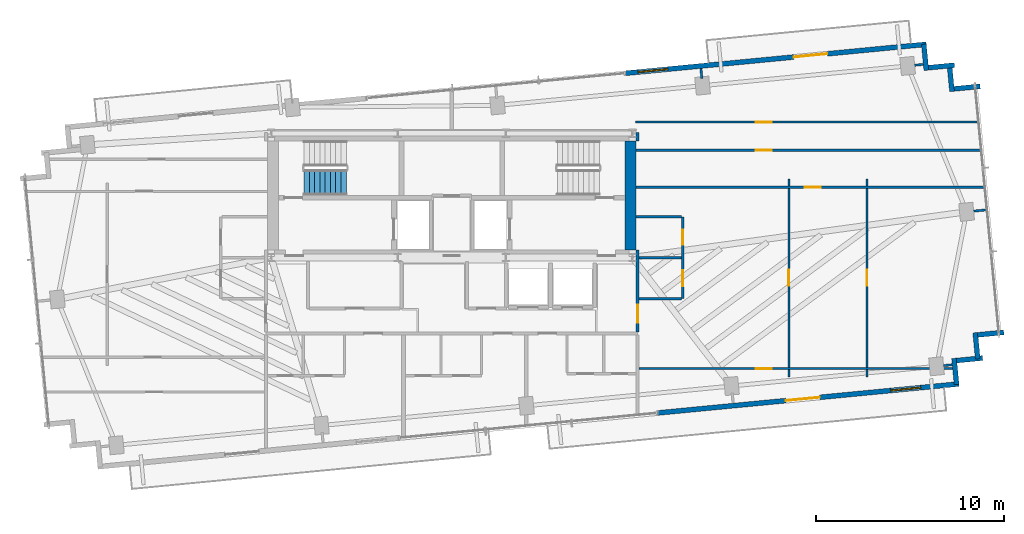
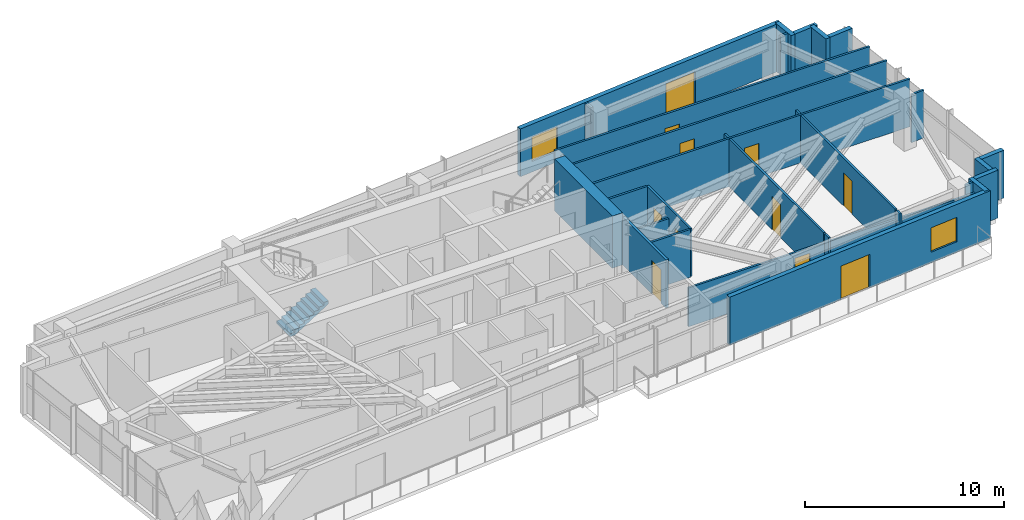
# One storey, part 15 of 18: 31 walls, 11 doors, 2 windows, 1 stair flight, 13 openings, 1 element without a shape of its own.
"""IFC4 building model written with IfcOpenShell, lengths in metres."""

from ifc_helpers import new_model, si_unit, direction, frame, frame_2d, origin, place, context, subcontext, project, spatial, polyline, rectangle, outline, extrude, source, transform, mapped, material, layer, layer_set, type_object, type_shapes, element, fill, aggregate, save


model = new_model("IFC4")

# Units and contexts
model_context = context("Model", 3, precision=1e-05, world=origin(), true_north=direction((0.0, 1.0)))
body_context = subcontext(model_context, "Body", "Model", "MODEL_VIEW")
ifc_project = project(units=[si_unit("LENGTHUNIT", "METRE"), si_unit("AREAUNIT", "SQUARE_METRE"), si_unit("VOLUMEUNIT", "CUBIC_METRE"), si_unit("PLANEANGLEUNIT", "RADIAN"), si_unit("MASSUNIT", "GRAM", prefix="KILO")], contexts=[model_context])

# Site, building, storey
site_placement = place(None, origin())
site = spatial("IfcSite", under=ifc_project, at=site_placement, CompositionType="ELEMENT")
building_placement = place(site_placement, origin())
building = spatial("IfcBuilding", under=site, at=building_placement, Name="Astriad Promenade Condominiums", CompositionType="ELEMENT")
storey_placement = place(building_placement, frame((0.0, 0.0, 201.800048828125)))
storey = spatial("IfcBuildingStorey", under=building, at=storey_placement, Name="L58", CompositionType="ELEMENT", Elevation=201.800048828125)

# Wall
ifc_material_1 = material(Name="Concrete C50/60", Category="concrete")
ifc_layer_1 = layer(ifc_material_1, 0.60009765625)
ifc_layer_set_1 = layer_set([ifc_layer_1], Name="Concrete C50/60")
wall_type_1 = type_object("IfcWallType", Name="CW-SHEAR-600", PredefinedType="SHEAR", material=ifc_layer_set_1)
wall_1_placement = place(storey_placement, frame((45.5, 17.802001953125, 0.0), z_axis=(0.0, 0.0, 1.0), x_axis=(0.0, 1.0, 0.0)))
element("IfcWall", 1, at=wall_1_placement, inside=storey, type_object=wall_type_1, Name="CW-CORE-E-L58", PredefinedType="SHEAR", context=body_context, shape_type="SweptSolid", body=[
    extrude(rectangle(XDim=5.7958984375, YDim=0.60009765625, at=frame_2d((2.89794921875, 0.0))), origin(), (0.0, 0.0, 1.0), 3.199951171875),
])

# Wall, opening, door
ifc_material_2 = material(Name="Fire-Rated Gypsum Partition")
ifc_layer_2 = layer(ifc_material_2, 0.159912109375)
ifc_layer_set_2 = layer_set([ifc_layer_2], Name="Fire-Rated Gypsum Partition")
wall_type_2 = type_object("IfcWallType", Name="WALL-CORR-160", PredefinedType="PARTITIONING", material=ifc_layer_set_2)
wall_2_placement = place(storey_placement, frame((45.8798828125, 13.44189453125, 0.0), z_axis=(0.0, 0.0, 1.0), x_axis=(0.0, 1.0, 0.0)))
wall_2 = element("IfcWall", 2, at=wall_2_placement, inside=storey, type_object=wall_type_2, Name="PT-COR-E-L58-S2", PredefinedType="PARTITIONING", context=body_context, shape_type="SweptSolid", body=[
    extrude(rectangle(XDim=4.360107421875, YDim=0.159912109375, at=frame_2d((2.18017578125, 0.0))), origin(), (0.0, 0.0, 1.0), 2.93994140625),
])
opening_1_placement = place(wall_2_placement, frame((0.492919921875, 0.0, 0.0)))
opening_1 = element("IfcOpeningElement", 3, at=opening_1_placement, cuts=wall_2, Name="Opening FD60-APT-095", PredefinedType="OPENING", context=body_context, shape_type="SweptSolid", body=[
    extrude(rectangle(XDim=0.949951171875, YDim=2.06005859375, at=frame_2d((0.47509765625, 1.030029296875))), frame((0.0, 0.08984375, 0.0), z_axis=(0.0, -1.0, 0.0), x_axis=(1.0, 0.0, 0.0)), (0.0, 0.0, 1.0), 0.179931640625),
])
ifc_material_3 = material(Name="Solid-Core Acoustic Timber Residence Entry Door", Category="wood")
door_type_1 = type_object("IfcDoorType", Name="FD60-APT-095", OperationType="NOTDEFINED", PredefinedType="DOOR", material=ifc_material_3)
shared_shape_1 = source(origin(), body_context, "Body", "SweptSolid", [
    extrude(rectangle(XDim=0.949951171875, YDim=2.06005859375, at=frame_2d((0.47509765625, 1.030029296875))), frame((0.0, 0.02490234375, 0.0), z_axis=(0.0, -1.0, 0.0), x_axis=(1.0, 0.0, 0.0)), (0.0, 0.0, 1.0), 0.050048828125),
])
type_shapes(door_type_1, [shared_shape_1])
door_1_placement = place(opening_1_placement, origin())
door_1 = element("IfcDoor", 4, at=door_1_placement, inside=storey, type_object=door_type_1, Name="D-ENT-L58-E1", OperationType="SINGLE_SWING_LEFT", OverallHeight=2.06005859375, OverallWidth=0.949951171875, PredefinedType="DOOR", context=body_context, shape_type="MappedRepresentation", body=[
    mapped(shared_shape_1, transform((0.0, 0.0, 0.0), scale=1.0)),
])
fill(opening_1, door_1)

# Wall
wall_3_placement = place(storey_placement, frame((45.8798828125, 23.597900390625, 0.0), z_axis=(0.0, 0.0, 1.0), x_axis=(0.0, 1.0, 0.0)))
element("IfcWall", 5, at=wall_3_placement, inside=storey, type_object=wall_type_2, Name="PT-COR-E-L58-S3", PredefinedType="PARTITIONING", context=body_context, shape_type="SweptSolid", body=[
    extrude(rectangle(XDim=0.4521484375, YDim=0.159912109375, at=frame_2d((0.22607421875, 0.0))), origin(), (0.0, 0.0, 1.0), 2.93994140625),
])

# Wall, openings, door, window
ifc_material_4 = material(Name="Precast concrete C50/60", Category="concrete")
ifc_layer_3 = layer(ifc_material_4, 0.260009765625)
ifc_layer_set_3 = layer_set([ifc_layer_3], Name="Precast concrete C50/60")
wall_type_3 = type_object("IfcWallType", Name="WALL-EXT-TWR-260", PredefinedType="STANDARD", material=ifc_layer_set_3)
wall_4_placement = place(storey_placement, frame((45.198974609375, 27.189697265625, 0.0), z_axis=(0.0, 0.0, 1.0), x_axis=(0.995397074604, 0.095836652014, 0.0)))
wall_4 = element("IfcWall", 6, at=wall_4_placement, inside=storey, type_object=wall_type_3, Name="W-EXT-L58-N2", PredefinedType="STANDARD", context=body_context, shape_type="SweptSolid", body=[
    extrude(rectangle(XDim=16.10009765625, YDim=0.260009765625, at=frame_2d((8.050048828125, 0.0))), origin(), (0.0, 0.0, 1.0), 2.93994140625),
])
opening_2_placement = place(wall_4_placement, frame((9.010009765625, 0.0, 0.0)))
opening_2 = element("IfcOpeningElement", 7, at=opening_2_placement, cuts=wall_4, Name="Opening BD-1822-SLD", PredefinedType="OPENING", context=body_context, shape_type="SweptSolid", body=[
    extrude(rectangle(XDim=1.800048828125, YDim=2.06005859375, at=frame_2d((0.89990234375, 1.030029296875))), frame((0.0, 0.139892578125, 0.0), z_axis=(0.0, -1.0, 0.0), x_axis=(1.0, 0.0, 0.0)), (0.0, 0.0, 1.0), 0.280029296875),
])
opening_3_placement = place(wall_4_placement, frame((0.699951171875, 0.0, 0.64990234375)))
opening_3 = element("IfcOpeningElement", 8, at=opening_3_placement, cuts=wall_4, Name="Opening WIN-TWR-1620", PredefinedType="OPENING", context=body_context, shape_type="SweptSolid", body=[
    extrude(rectangle(XDim=1.60009765625, YDim=1.5, at=frame_2d((0.800048828125, 0.75))), frame((0.0, 0.139892578125, 0.0), z_axis=(0.0, -1.0, 0.0), x_axis=(1.0, 0.0, 0.0)), (0.0, 0.0, 1.0), 0.280029296875),
])
ifc_material_5 = material(Name="Thermally Broken Aluminium Sliding Balcony Door", Category="aluminium")
door_type_2 = type_object("IfcDoorType", Name="BD-1822-SLD", OperationType="NOTDEFINED", PredefinedType="DOOR", material=ifc_material_5)
shared_shape_2 = source(origin(), body_context, "Body", "SweptSolid", [
    extrude(rectangle(XDim=1.800048828125, YDim=2.06005859375, at=frame_2d((0.89990234375, 1.030029296875))), frame((0.0, 0.02490234375, 0.0), z_axis=(0.0, -1.0, 0.0), x_axis=(1.0, 0.0, 0.0)), (0.0, 0.0, 1.0), 0.050048828125),
])
type_shapes(door_type_2, [shared_shape_2])
door_2_placement = place(opening_2_placement, origin())
door_2 = element("IfcDoor", 9, at=door_2_placement, inside=storey, type_object=door_type_2, Name="BD-L58-NE", OperationType="SLIDING_TO_RIGHT", OverallHeight=2.06005859375, OverallWidth=1.800048828125, PredefinedType="DOOR", context=body_context, shape_type="MappedRepresentation", body=[
    mapped(shared_shape_2, transform((0.0, 0.0, 0.0), scale=1.0)),
])
fill(opening_2, door_2)
ifc_material_6 = material(Name="Dark Tinted Triple-Glazed Aluminium Window", Category="aluminium")
window_type = type_object("IfcWindowType", Name="WIN-TWR-1620", PartitioningType="SINGLE_PANEL", PredefinedType="WINDOW", material=ifc_material_6)
shared_shape_3 = source(origin(), body_context, "Body", "SweptSolid", [
    extrude(rectangle(XDim=1.60009765625, YDim=1.5, at=frame_2d((0.800048828125, 0.75))), frame((0.0, 0.030029296875, 0.0), z_axis=(0.0, -1.0, 0.0), x_axis=(1.0, 0.0, 0.0)), (0.0, 0.0, 1.0), 0.06005859375),
])
type_shapes(window_type, [shared_shape_3])
window_1_placement = place(opening_3_placement, origin())
window_1 = element("IfcWindow", 10, at=window_1_placement, inside=storey, type_object=window_type, Name="WIN-L58-NE", OverallHeight=1.5, OverallWidth=1.60009765625, PartitioningType="SINGLE_PANEL", PredefinedType="WINDOW", context=body_context, shape_type="MappedRepresentation", body=[
    mapped(shared_shape_3, transform((0.0, 0.0, 0.0), scale=1.0)),
])
fill(opening_3, window_1)

# Walls
wall_5_placement = place(storey_placement, frame((61.093994140625, 28.735107421875, 0.0), z_axis=(0.0, 0.0, 1.0), x_axis=(0.095742423056, -0.99540614245, 0.0)))
element("IfcWall", 11, at=wall_5_placement, inside=storey, type_object=wall_type_3, Name="W-SER-L58-09", PredefinedType="STANDARD", context=body_context, shape_type="SweptSolid", body=[
    extrude(rectangle(XDim=1.394775390625, YDim=0.260009765625, at=frame_2d((0.697265625, 0.0))), origin(), (0.0, 0.0, 1.0), 2.93994140625),
])
wall_6_placement = place(storey_placement, frame((61.32958984375, 27.487060546875, 0.0), z_axis=(0.0, 0.0, 1.0), x_axis=(0.995391056452, 0.09589913835, 0.0)))
element("IfcWall", 12, at=wall_6_placement, inside=storey, type_object=wall_type_3, Name="W-SER-L58-10", PredefinedType="STANDARD", context=body_context, shape_type="SweptSolid", body=[
    extrude(rectangle(XDim=1.39501953125, YDim=0.260009765625, at=frame_2d((0.697509765625, 0.0))), origin(), (0.0, 0.0, 1.0), 2.93994140625),
])
for number, where, z_axis, x_axis, name in (
    (13, (62.4580078125, 27.610595703125, 0.0), (0.0, 0.0, 1.0), (0.095915846097, -0.995389446633, 0.0), "W-SER-L58-11"),
    (14, (62.69384765625, 26.362548828125, 0.0), (0.0, 0.0, 1.0), (0.995389446633, 0.095915846097, 0.0), "W-SER-L58-12"),
):
    element("IfcWall", number, at=place(storey_placement, frame(where, z_axis=z_axis, x_axis=x_axis)), inside=storey, type_object=wall_type_3, Name=name, PredefinedType="STANDARD", context=body_context, shape_type="SweptSolid", body=[
        extrude(rectangle(XDim=1.394775390625, YDim=0.260009765625, at=frame_2d((0.697265625, 0.0))), origin(), (0.0, 0.0, 1.0), 2.93994140625),
    ])
wall_7_placement = place(storey_placement, frame((65.341796875, 13.416748046875, 0.0), z_axis=(0.0, 0.0, 1.0), x_axis=(-0.99540774648, -0.095725744959, 0.0)))
element("IfcWall", 15, at=wall_7_placement, inside=storey, type_object=wall_type_3, Name="W-SER-L58-14", PredefinedType="STANDARD", context=body_context, shape_type="SweptSolid", body=[
    extrude(rectangle(XDim=1.39501953125, YDim=0.260009765625, at=frame_2d((0.697509765625, 0.0))), origin(), (0.0, 0.0, 1.0), 2.93994140625),
])
wall_8_placement = place(storey_placement, frame((63.826171875, 13.4013671875, 0.0), z_axis=(0.0, 0.0, 1.0), x_axis=(0.095915846097, -0.995389446633, 0.0)))
element("IfcWall", 16, at=wall_8_placement, inside=storey, type_object=wall_type_3, Name="W-SER-L58-15", PredefinedType="STANDARD", context=body_context, shape_type="SweptSolid", body=[
    extrude(rectangle(XDim=1.394775390625, YDim=0.260009765625, at=frame_2d((0.697265625, 0.0))), origin(), (0.0, 0.0, 1.0), 2.93994140625),
])
for number, where, z_axis, x_axis, name in (
    (17, (64.21728515625, 12.052734375, 0.0), (0.0, 0.0, 1.0), (-0.99540774648, -0.095725744959, 0.0), "W-SER-L58-16"),
    (18, (62.701904296875, 12.037353515625, 0.0), (0.0, 0.0, 1.0), (0.095725744959, -0.99540774648, 0.0), "W-SER-L58-17"),
):
    element("IfcWall", number, at=place(storey_placement, frame(where, z_axis=z_axis, x_axis=x_axis)), inside=storey, type_object=wall_type_3, Name=name, PredefinedType="STANDARD", context=body_context, shape_type="SweptSolid", body=[
        extrude(rectangle(XDim=1.39501953125, YDim=0.260009765625, at=frame_2d((0.697509765625, 0.0))), origin(), (0.0, 0.0, 1.0), 2.93994140625),
    ])

# Wall, openings, door, window
wall_9_placement = place(storey_placement, frame((62.96337890625, 10.67626953125, 0.0), z_axis=(0.0, 0.0, 1.0), x_axis=(-0.995395627913, -0.095851676732, 0.0)))
wall_9 = element("IfcWall", 19, at=wall_9_placement, inside=storey, type_object=wall_type_3, Name="W-EXT-L58-S1", PredefinedType="STANDARD", context=body_context, shape_type="SweptSolid", body=[
    extrude(rectangle(XDim=16.10009765625, YDim=0.260009765625, at=frame_2d((8.050048828125, 0.0))), origin(), (0.0, 0.0, 1.0), 2.93994140625),
])
opening_4_placement = place(wall_9_placement, frame((7.443115234375, 0.0, 0.0)))
opening_4 = element("IfcOpeningElement", 20, at=opening_4_placement, cuts=wall_9, Name="Opening BD-1822-SLD", PredefinedType="OPENING", context=body_context, shape_type="SweptSolid", body=[
    extrude(rectangle(XDim=1.800048828125, YDim=2.06005859375, at=frame_2d((0.89990234375, 1.030029296875))), frame((0.0, 0.139892578125, 0.0), z_axis=(0.0, -1.0, 0.0), x_axis=(1.0, 0.0, 0.0)), (0.0, 0.0, 1.0), 0.280029296875),
])
opening_5_placement = place(wall_9_placement, frame((2.050048828125, 0.0, 0.64990234375)))
opening_5 = element("IfcOpeningElement", 21, at=opening_5_placement, cuts=wall_9, Name="Opening WIN-TWR-1620", PredefinedType="OPENING", context=body_context, shape_type="SweptSolid", body=[
    extrude(rectangle(XDim=1.60009765625, YDim=1.5, at=frame_2d((0.800048828125, 0.75))), frame((0.0, 0.139892578125, 0.0), z_axis=(0.0, -1.0, 0.0), x_axis=(1.0, 0.0, 0.0)), (0.0, 0.0, 1.0), 0.280029296875),
])
door_3_placement = place(opening_4_placement, origin())
door_3 = element("IfcDoor", 22, at=door_3_placement, inside=storey, type_object=door_type_2, Name="BD-L58-SE", OperationType="SLIDING_TO_RIGHT", OverallHeight=2.06005859375, OverallWidth=1.800048828125, PredefinedType="DOOR", context=body_context, shape_type="MappedRepresentation", body=[
    mapped(shared_shape_2, transform((0.0, 0.0, 0.0), scale=1.0)),
])
fill(opening_4, door_3)
window_2_placement = place(opening_5_placement, origin())
window_2 = element("IfcWindow", 23, at=window_2_placement, inside=storey, type_object=window_type, Name="WIN-L58-SE", OverallHeight=1.5, OverallWidth=1.60009765625, PartitioningType="SINGLE_PANEL", PredefinedType="WINDOW", context=body_context, shape_type="MappedRepresentation", body=[
    mapped(shared_shape_3, transform((0.0, 0.0, 0.0), scale=1.0)),
])
fill(opening_5, window_2)

# Wall, openings, doors
ifc_material_7 = material(Name="Acoustic Metal-Stud Gypsum Partition")
ifc_layer_4 = layer(ifc_material_7, 0.1201171875)
ifc_layer_set_4 = layer_set([ifc_layer_4], Name="Acoustic Metal-Stud Gypsum Partition")
wall_type_4 = type_object("IfcWallType", Name="WALL-PART-120", PredefinedType="PARTITIONING", material=ifc_layer_set_4)
wall_10_placement = place(storey_placement, frame((48.280029296875, 15.2099609375, 0.0), z_axis=(0.0, 0.0, 1.0), x_axis=(0.0, 1.0, 0.0)))
wall_10 = element("IfcWall", 24, at=wall_10_placement, inside=storey, type_object=wall_type_4, Name="PT-L58-E1-PV", PredefinedType="PARTITIONING", context=body_context, shape_type="SweptSolid", body=[
    extrude(rectangle(XDim=4.35009765625, YDim=0.1201171875, at=frame_2d((2.175048828125, 0.0))), origin(), (0.0, 0.0, 1.0), 2.93994140625),
])
opening_6_placement = place(wall_10_placement, frame((0.662109375, 0.0, 0.0)))
opening_6 = element("IfcOpeningElement", 25, at=opening_6_placement, cuts=wall_10, Name="Opening D-INT-085", PredefinedType="OPENING", context=body_context, shape_type="SweptSolid", body=[
    extrude(rectangle(XDim=0.85009765625, YDim=2.050048828125, at=frame_2d((0.425048828125, 1.02490234375))), frame((0.0, 0.070068359375, 0.0), z_axis=(0.0, -1.0, 0.0), x_axis=(1.0, 0.0, 0.0)), (0.0, 0.0, 1.0), 0.14013671875),
])
opening_7_placement = place(wall_10_placement, frame((2.863037109375, 0.0, 0.0)))
opening_7 = element("IfcOpeningElement", 26, at=opening_7_placement, cuts=wall_10, Name="Opening D-WET-080", PredefinedType="OPENING", context=body_context, shape_type="SweptSolid", body=[
    extrude(rectangle(XDim=0.800048828125, YDim=2.02001953125, at=frame_2d((0.39990234375, 1.010009765625))), frame((0.0, 0.070068359375, 0.0), z_axis=(0.0, -1.0, 0.0), x_axis=(1.0, 0.0, 0.0)), (0.0, 0.0, 1.0), 0.14013671875),
])
ifc_material_8 = material(Name="Moisture-Resistant Timber Bathroom Door", Category="wood")
door_type_3 = type_object("IfcDoorType", Name="D-WET-080", OperationType="NOTDEFINED", PredefinedType="DOOR", material=ifc_material_8)
shared_shape_4 = source(origin(), body_context, "Body", "SweptSolid", [
    extrude(rectangle(XDim=0.800048828125, YDim=2.02001953125, at=frame_2d((0.39990234375, 1.010009765625))), frame((0.0, 0.02490234375, 0.0), z_axis=(0.0, -1.0, 0.0), x_axis=(1.0, 0.0, 0.0)), (0.0, 0.0, 1.0), 0.050048828125),
])
type_shapes(door_type_3, [shared_shape_4])
door_4_placement = place(opening_7_placement, origin())
door_4 = element("IfcDoor", 27, at=door_4_placement, inside=storey, type_object=door_type_3, Name="D-BTH-L58-E1", OperationType="SINGLE_SWING_LEFT", OverallHeight=2.02001953125, OverallWidth=0.800048828125, PredefinedType="DOOR", context=body_context, shape_type="MappedRepresentation", body=[
    mapped(shared_shape_4, transform((0.0, 0.0, 0.0), scale=1.0)),
])
fill(opening_7, door_4)
ifc_material_9 = material(Name="Painted Solid-Core Timber Room Door", Category="wood")
door_type_4 = type_object("IfcDoorType", Name="D-INT-085", OperationType="NOTDEFINED", PredefinedType="DOOR", material=ifc_material_9)
shared_shape_5 = source(origin(), body_context, "Body", "SweptSolid", [
    extrude(rectangle(XDim=0.85009765625, YDim=2.050048828125, at=frame_2d((0.425048828125, 1.02490234375))), frame((0.0, 0.02490234375, 0.0), z_axis=(0.0, -1.0, 0.0), x_axis=(1.0, 0.0, 0.0)), (0.0, 0.0, 1.0), 0.050048828125),
])
type_shapes(door_type_4, [shared_shape_5])
door_5_placement = place(opening_6_placement, origin())
door_5 = element("IfcDoor", 28, at=door_5_placement, inside=storey, type_object=door_type_4, Name="D-KIT-L58-E1", OperationType="SINGLE_SWING_RIGHT", OverallHeight=2.050048828125, OverallWidth=0.85009765625, PredefinedType="DOOR", context=body_context, shape_type="MappedRepresentation", body=[
    mapped(shared_shape_5, transform((0.0, 0.0, 0.0), scale=1.0)),
])
fill(opening_6, door_5)

# Walls
wall_11_placement = place(storey_placement, frame((45.9619140625, 17.385009765625, 0.0), z_axis=(0.0, 0.0, 1.0), x_axis=(1.0, 0.0, 0.0)))
element("IfcWall", 29, at=wall_11_placement, inside=storey, type_object=wall_type_4, Name="PT-L58-E1-PM", PredefinedType="PARTITIONING", context=body_context, shape_type="SweptSolid", body=[
    extrude(rectangle(XDim=2.256103515625, YDim=0.1201171875, at=frame_2d((1.1279296875, 0.0))), origin(), (0.0, 0.0, 1.0), 2.28125),
])
wall_12_placement = place(storey_placement, frame((45.9619140625, 15.2099609375, 0.0), z_axis=(0.0, 0.0, 1.0), x_axis=(1.0, 0.0, 0.0)))
element("IfcWall", 30, at=wall_12_placement, inside=storey, type_object=wall_type_4, Name="PT-L58-E1-PS", PredefinedType="PARTITIONING", context=body_context, shape_type="SweptSolid", body=[
    extrude(rectangle(XDim=2.256103515625, YDim=0.1201171875, at=frame_2d((1.1279296875, 0.0))), origin(), (0.0, 0.0, 1.0), 2.93994140625),
])
wall_13_placement = place(storey_placement, frame((45.802001953125, 19.56005859375, 0.0), z_axis=(0.0, 0.0, 1.0), x_axis=(1.0, 0.0, 0.0)))
element("IfcWall", 31, at=wall_13_placement, inside=storey, type_object=wall_type_4, Name="PT-L58-E1-PN", PredefinedType="PARTITIONING", context=body_context, shape_type="SweptSolid", body=[
    extrude(rectangle(XDim=2.416015625, YDim=0.1201171875, at=frame_2d((1.2080078125, 0.0))), origin(), (0.0, 0.0, 1.0), 2.93994140625),
])

# Wall, opening, door
wall_14_placement = place(storey_placement, frame((45.760009765625, 24.596923828125, 0.0), z_axis=(0.0, 0.0, 1.0), x_axis=(1.0, 0.0, 0.0)))
wall_14 = element("IfcWall", 32, at=wall_14_placement, inside=storey, type_object=wall_type_4, Name="PT-L58-E1-WDN1", PredefinedType="PARTITIONING", context=body_context, shape_type="SweptSolid", body=[
    extrude(rectangle(XDim=18.294189453125, YDim=0.1201171875, at=frame_2d((9.14697265625, 0.0))), origin(), (0.0, 0.0, 1.0), 2.93994140625),
])
opening_8_placement = place(wall_14_placement, frame((6.387939453125, 0.0, 0.0)))
opening_8 = element("IfcOpeningElement", 33, at=opening_8_placement, cuts=wall_14, Name="Opening D-INT-085", PredefinedType="OPENING", context=body_context, shape_type="SweptSolid", body=[
    extrude(rectangle(XDim=0.85009765625, YDim=2.050048828125, at=frame_2d((0.425048828125, 1.02490234375))), frame((0.0, 0.070068359375, 0.0), z_axis=(0.0, -1.0, 0.0), x_axis=(1.0, 0.0, 0.0)), (0.0, 0.0, 1.0), 0.14013671875),
])
door_6_placement = place(opening_8_placement, origin())
door_6 = element("IfcDoor", 34, at=door_6_placement, inside=storey, type_object=door_type_4, Name="D-WDN1-L58-E1", OperationType="SINGLE_SWING_RIGHT", OverallHeight=2.050048828125, OverallWidth=0.85009765625, PredefinedType="DOOR", context=body_context, shape_type="MappedRepresentation", body=[
    mapped(shared_shape_5, transform((0.0, 0.0, 0.0), scale=1.0)),
])
fill(opening_8, door_6)

wall_15_placement = place(storey_placement, frame((45.802001953125, 23.10205078125, 0.0), z_axis=(0.0, 0.0, 1.0), x_axis=(1.0, 0.0, 0.0)))
wall_15 = element("IfcWall", 35, at=wall_15_placement, inside=storey, type_object=wall_type_4, Name="PT-L58-E1-WDN2", PredefinedType="PARTITIONING", context=body_context, shape_type="SweptSolid", body=[
    extrude(rectangle(XDim=18.39599609375, YDim=0.1201171875, at=frame_2d((9.197998046875, 0.0))), origin(), (0.0, 0.0, 1.0), 2.93994140625),
])
opening_9_placement = place(wall_15_placement, frame((6.345947265625, 0.0, 0.0)))
opening_9 = element("IfcOpeningElement", 36, at=opening_9_placement, cuts=wall_15, Name="Opening D-INT-085", PredefinedType="OPENING", context=body_context, shape_type="SweptSolid", body=[
    extrude(rectangle(XDim=0.85009765625, YDim=2.050048828125, at=frame_2d((0.425048828125, 1.02490234375))), frame((0.0, 0.070068359375, 0.0), z_axis=(0.0, -1.0, 0.0), x_axis=(1.0, 0.0, 0.0)), (0.0, 0.0, 1.0), 0.14013671875),
])
door_7_placement = place(opening_9_placement, origin())
door_7 = element("IfcDoor", 37, at=door_7_placement, inside=storey, type_object=door_type_4, Name="D-WDN2-L58-E1", OperationType="SINGLE_SWING_LEFT", OverallHeight=2.050048828125, OverallWidth=0.85009765625, PredefinedType="DOOR", context=body_context, shape_type="MappedRepresentation", body=[
    mapped(shared_shape_5, transform((0.0, 0.0, 0.0), scale=1.0)),
])
fill(opening_9, door_7)

wall_16_placement = place(storey_placement, frame((45.9619140625, 11.493896484375, 0.0), z_axis=(0.0, 0.0, 1.0), x_axis=(1.0, 0.0, 0.0)))
wall_16 = element("IfcWall", 38, at=wall_16_placement, inside=storey, type_object=wall_type_4, Name="PT-L58-E1-WDS3", PredefinedType="PARTITIONING", context=body_context, shape_type="SweptSolid", body=[
    extrude(rectangle(XDim=16.65966796875, YDim=0.1201171875, at=frame_2d((8.329833984375, 0.0))), origin(), (0.0, 0.0, 1.0), 2.382568359375),
])
opening_10_placement = place(wall_16_placement, frame((6.18603515625, 0.0, 0.0)))
opening_10 = element("IfcOpeningElement", 39, at=opening_10_placement, cuts=wall_16, Name="Opening D-INT-085", PredefinedType="OPENING", context=body_context, shape_type="SweptSolid", body=[
    extrude(rectangle(XDim=0.85009765625, YDim=2.050048828125, at=frame_2d((0.425048828125, 1.02490234375))), frame((0.0, 0.070068359375, 0.0), z_axis=(0.0, -1.0, 0.0), x_axis=(1.0, 0.0, 0.0)), (0.0, 0.0, 1.0), 0.14013671875),
])
door_8_placement = place(opening_10_placement, origin())
door_8 = element("IfcDoor", 40, at=door_8_placement, inside=storey, type_object=door_type_4, Name="D-WDS3-L58-E1", OperationType="SINGLE_SWING_RIGHT", OverallHeight=2.050048828125, OverallWidth=0.85009765625, PredefinedType="DOOR", context=body_context, shape_type="MappedRepresentation", body=[
    mapped(shared_shape_5, transform((0.0, 0.0, 0.0), scale=1.0)),
])
fill(opening_10, door_8)

wall_17_placement = place(storey_placement, frame((45.802001953125, 21.126953125, 0.0), z_axis=(0.0, 0.0, 1.0), x_axis=(1.0, 0.0, 0.0)))
wall_17 = element("IfcWall", 41, at=wall_17_placement, inside=storey, type_object=wall_type_4, Name="PT-L58-E1-WDN4", PredefinedType="PARTITIONING", context=body_context, shape_type="SweptSolid", body=[
    extrude(rectangle(XDim=18.586181640625, YDim=0.1201171875, at=frame_2d((9.29296875, 0.0))), origin(), (0.0, 0.0, 1.0), 2.93994140625),
])
opening_11_placement = place(wall_17_placement, frame((8.9541015625, 0.0, 0.0)))
opening_11 = element("IfcOpeningElement", 42, at=opening_11_placement, cuts=wall_17, Name="Opening D-INT-085", PredefinedType="OPENING", context=body_context, shape_type="SweptSolid", body=[
    extrude(rectangle(XDim=0.85009765625, YDim=2.050048828125, at=frame_2d((0.425048828125, 1.02490234375))), frame((0.0, 0.070068359375, 0.0), z_axis=(0.0, -1.0, 0.0), x_axis=(1.0, 0.0, 0.0)), (0.0, 0.0, 1.0), 0.14013671875),
])
door_9_placement = place(opening_11_placement, origin())
door_9 = element("IfcDoor", 43, at=door_9_placement, inside=storey, type_object=door_type_4, Name="D-WDN4-L58-E1", OperationType="SINGLE_SWING_LEFT", OverallHeight=2.050048828125, OverallWidth=0.85009765625, PredefinedType="DOOR", context=body_context, shape_type="MappedRepresentation", body=[
    mapped(shared_shape_5, transform((0.0, 0.0, 0.0), scale=1.0)),
])
fill(opening_11, door_9)

# Wall
wall_18_placement = place(storey_placement, frame((58.070068359375, 11.053955078125, 0.0), z_axis=(0.0, 0.0, 1.0), x_axis=(0.0, 1.0, 0.0)))
element("IfcWall", 44, at=wall_18_placement, inside=storey, type_object=wall_type_4, Name="PT-L58-E1-WDV5", PredefinedType="PARTITIONING", context=body_context, shape_type="SweptSolid", body=[
    extrude(rectangle(XDim=0.3779296875, YDim=0.1201171875, at=frame_2d((0.18896484375, 0.0))), origin(), (0.0, 0.0, 1.0), 2.93994140625),
])

# Wall, opening, door
wall_19_placement = place(storey_placement, frame((58.070068359375, 11.555908203125, 0.0), z_axis=(0.0, 0.0, 1.0), x_axis=(0.0, 1.0, 0.0)))
wall_19 = element("IfcWall", 45, at=wall_19_placement, inside=storey, type_object=wall_type_4, Name="PT-L58-E1-WDV5-S2", PredefinedType="PARTITIONING", context=body_context, shape_type="SweptSolid", body=[
    extrude(rectangle(XDim=9.509033203125, YDim=0.1201171875, at=frame_2d((4.75439453125, 0.0))), origin(), (0.0, 0.0, 1.0), 2.93994140625),
])
opening_12_placement = place(wall_19_placement, frame((4.3291015625, 0.0, 0.0)))
opening_12 = element("IfcOpeningElement", 46, at=opening_12_placement, cuts=wall_19, Name="Opening D-INT-085", PredefinedType="OPENING", context=body_context, shape_type="SweptSolid", body=[
    extrude(rectangle(XDim=0.85009765625, YDim=2.050048828125, at=frame_2d((0.425048828125, 1.02490234375))), frame((0.0, 0.070068359375, 0.0), z_axis=(0.0, -1.0, 0.0), x_axis=(1.0, 0.0, 0.0)), (0.0, 0.0, 1.0), 0.14013671875),
])
door_10_placement = place(opening_12_placement, origin())
door_10 = element("IfcDoor", 47, at=door_10_placement, inside=storey, type_object=door_type_4, Name="D-WDV5-L58-E1", OperationType="SINGLE_SWING_RIGHT", OverallHeight=2.050048828125, OverallWidth=0.85009765625, PredefinedType="DOOR", context=body_context, shape_type="MappedRepresentation", body=[
    mapped(shared_shape_5, transform((0.0, 0.0, 0.0), scale=1.0)),
])
fill(opening_12, door_10)

# Walls
for number, where, z_axis, x_axis, name in (
    (48, (58.070068359375, 21.18896484375, 0.0), (0.0, 0.0, 1.0), (0.0, 1.0, 0.0), "PT-L58-E1-WDV5-S3"),
    (49, (53.923095703125, 11.053955078125, 0.0), (0.0, 0.0, 1.0), (0.0, 1.0, 0.0), "PT-L58-E1-WDV6"),
):
    element("IfcWall", number, at=place(storey_placement, frame(where, z_axis=z_axis, x_axis=x_axis)), inside=storey, type_object=wall_type_4, Name=name, PredefinedType="PARTITIONING", context=body_context, shape_type="SweptSolid", body=[
        extrude(rectangle(XDim=0.3779296875, YDim=0.1201171875, at=frame_2d((0.18896484375, 0.0))), origin(), (0.0, 0.0, 1.0), 2.93994140625),
    ])

# Wall, opening, door
wall_20_placement = place(storey_placement, frame((53.923095703125, 11.555908203125, 0.0), z_axis=(0.0, 0.0, 1.0), x_axis=(0.0, 1.0, 0.0)))
wall_20 = element("IfcWall", 50, at=wall_20_placement, inside=storey, type_object=wall_type_4, Name="PT-L58-E1-WDV6-S2", PredefinedType="PARTITIONING", context=body_context, shape_type="SweptSolid", body=[
    extrude(rectangle(XDim=9.509033203125, YDim=0.1201171875, at=frame_2d((4.75439453125, 0.0))), origin(), (0.0, 0.0, 1.0), 2.93994140625),
])
opening_13_placement = place(wall_20_placement, frame((4.3291015625, 0.0, 0.0)))
opening_13 = element("IfcOpeningElement", 51, at=opening_13_placement, cuts=wall_20, Name="Opening D-INT-085", PredefinedType="OPENING", context=body_context, shape_type="SweptSolid", body=[
    extrude(rectangle(XDim=0.85009765625, YDim=2.050048828125, at=frame_2d((0.425048828125, 1.02490234375))), frame((0.0, 0.070068359375, 0.0), z_axis=(0.0, -1.0, 0.0), x_axis=(1.0, 0.0, 0.0)), (0.0, 0.0, 1.0), 0.14013671875),
])
door_11_placement = place(opening_13_placement, origin())
door_11 = element("IfcDoor", 52, at=door_11_placement, inside=storey, type_object=door_type_4, Name="D-WDV6-L58-E1", OperationType="SINGLE_SWING_LEFT", OverallHeight=2.050048828125, OverallWidth=0.85009765625, PredefinedType="DOOR", context=body_context, shape_type="MappedRepresentation", body=[
    mapped(shared_shape_5, transform((0.0, 0.0, 0.0), scale=1.0)),
])
fill(opening_13, door_11)

# Walls
wall_21_placement = place(storey_placement, frame((53.923095703125, 21.18896484375, 0.0), z_axis=(0.0, 0.0, 1.0), x_axis=(0.0, 1.0, 0.0)))
element("IfcWall", 53, at=wall_21_placement, inside=storey, type_object=wall_type_4, Name="PT-L58-E1-WDV6-S3", PredefinedType="PARTITIONING", context=body_context, shape_type="SweptSolid", body=[
    extrude(rectangle(XDim=0.3779296875, YDim=0.1201171875, at=frame_2d((0.18896484375, 0.0))), origin(), (0.0, 0.0, 1.0), 2.93994140625),
])
wall_22_placement = place(storey_placement, frame((62.146240234375, 11.65234375, 0.0), z_axis=(0.0, 0.0, 1.0), x_axis=(0.995384576284, 0.09596637586, 0.0)))
element("IfcWall", 54, at=wall_22_placement, inside=storey, type_object=wall_type_4, Name="PT-PIL-L58-PC05-12", PredefinedType="PARTITIONING", context=body_context, shape_type="SweptSolid", body=[
    extrude(rectangle(XDim=0.4580078125, YDim=0.1201171875, at=frame_2d((0.22900390625, 0.0))), origin(), (0.0, 0.0, 1.0), 2.93994140625),
])
wall_23_placement = place(storey_placement, frame((49.29443359375, 26.910888671875, 0.0), z_axis=(0.0, 0.0, 1.0), x_axis=(-0.095772948675, 0.995403205893, 0.0)))
element("IfcWall", 55, at=wall_23_placement, inside=storey, type_object=wall_type_4, Name="PT-PIL-L58-PC09-16", PredefinedType="PARTITIONING", context=body_context, shape_type="SweptSolid", body=[
    extrude(rectangle(XDim=0.537841796875, YDim=0.1201171875, at=frame_2d((0.26904296875, 0.0))), origin(), (0.0, 0.0, 1.0), 2.93994140625),
])
wall_24_placement = place(storey_placement, frame((60.60888671875, 27.618408203125, 0.0), z_axis=(0.0, 0.0, 1.0), x_axis=(0.995384576284, 0.09596637586, 0.0)))
element("IfcWall", 56, at=wall_24_placement, inside=storey, type_object=wall_type_4, Name="PT-PIL-L58-PC10-17", PredefinedType="PARTITIONING", context=body_context, shape_type="SweptSolid", body=[
    extrude(rectangle(XDim=0.4580078125, YDim=0.1201171875, at=frame_2d((0.22900390625, 0.0))), origin(), (0.0, 0.0, 1.0), 2.93994140625),
])
wall_25_placement = place(storey_placement, frame((63.74658203125, 19.863525390625, 0.0), z_axis=(0.0, 0.0, 1.0), x_axis=(0.995405496295, 0.095749140702, 0.0)))
element("IfcWall", 57, at=wall_25_placement, inside=storey, type_object=wall_type_4, Name="PT-PIL-L58-PC12-19", PredefinedType="PARTITIONING", context=body_context, shape_type="SweptSolid", body=[
    extrude(rectangle(XDim=0.759765625, YDim=0.1201171875, at=frame_2d((0.3798828125, 0.0))), origin(), (0.0, 0.0, 1.0), 2.93994140625),
])

# Stair, stair flight
stair_type = type_object("IfcStairType", Name="STR-CORE-1350", PredefinedType="HALF_TURN_STAIR", material=ifc_material_1)
stair_placement = place(storey_placement, origin())
stair = element("IfcStair", 58, at=stair_placement, inside=storey, type_object=stair_type, Name="L58 Enclosed Core Exit Stair ST-1", PredefinedType="HALF_TURN_STAIR")
stair_flight_type = type_object("IfcStairFlightType", Name="SFL-CORE-1350", PredefinedType="STRAIGHT", material=ifc_material_1)
shared_shape_6 = source(origin(), body_context, "Body", "SweptSolid", [
    extrude(outline(polyline([(0.0, 0.0), (0.0, 0.177734375), (0.280029296875, 0.177734375), (0.280029296875, 0.35546875), (0.56005859375, 0.35546875), (0.56005859375, 0.533447265625), (0.840087890625, 0.533447265625), (0.840087890625, 0.711181640625), (1.1201171875, 0.711181640625), (1.1201171875, 0.888916015625), (1.39990234375, 0.888916015625), (1.39990234375, 1.066650390625), (1.679931640625, 1.066650390625), (1.679931640625, 1.244384765625), (1.9599609375, 1.244384765625), (1.9599609375, 1.422119140625), (2.239990234375, 1.422119140625), (2.239990234375, 1.60009765625), (2.239990234375, 1.24462890625), (0.27978515625, 0.0), (0.0, 0.0)])), frame((0.0, 0.675048828125, 0.0), z_axis=(0.0, -1.0, 0.0), x_axis=(1.0, 0.0, 0.0)), (0.0, 0.0, 1.0), 1.35009765625),
])
type_shapes(stair_flight_type, [shared_shape_6])
stair_flight_placement = place(storey_placement, frame((28.14990234375, 21.375, 0.0), z_axis=(0.0, 0.0, 1.0), x_axis=(1.0, 0.0, 0.0)))
stair_flight = element("IfcStairFlight", 59, at=stair_flight_placement, type_object=stair_flight_type, Name="ST-1 flight 1", NumberOfRisers=9, NumberOfTreads=8, PredefinedType="STRAIGHT", RiserHeight=0.177777778, TreadLength=0.28, context=body_context, shape_type="MappedRepresentation", body=[
    mapped(shared_shape_6, transform((0.0, 0.0, 0.0), scale=1.0)),
])
aggregate(stair, [stair_flight])

save(model, "model.ifc")
